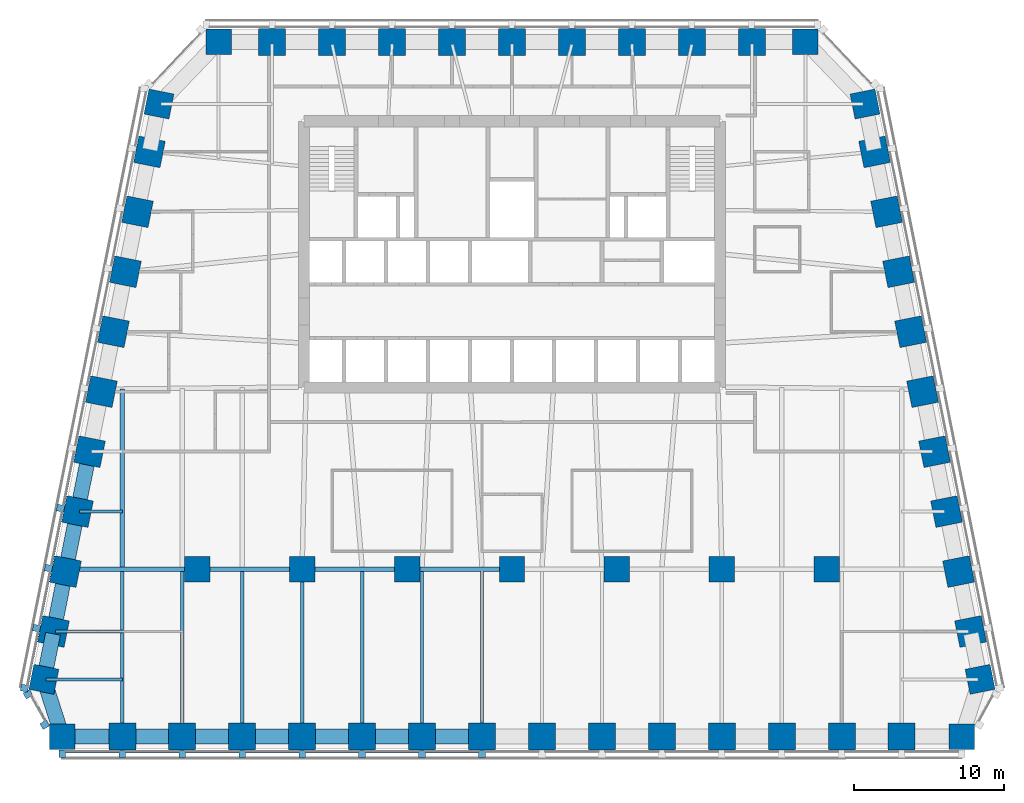
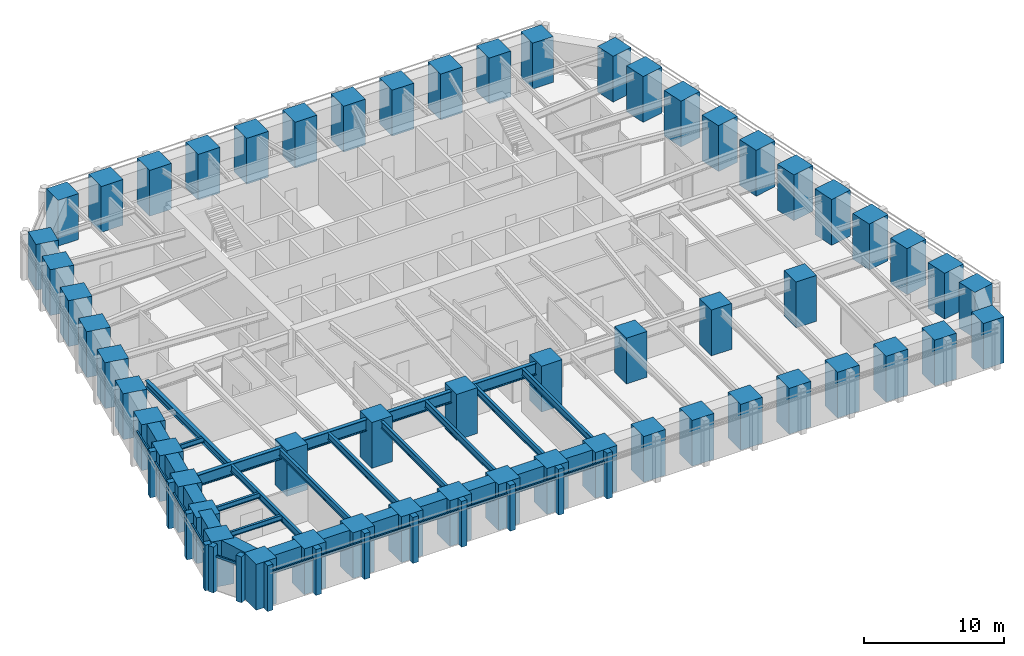
# One storey, part 1 of 10: 56 columns, 27 beams, 26 members, 3 elements without a shape of their own.
"""IFC4 building model written with IfcOpenShell, lengths in metres."""

from ifc_helpers import new_model, si_unit, direction, frame, origin, origin_2d, place, context, subcontext, project, spatial, rectangle, i_section, extrude, material, material_profile, profile_set, type_object, element, aggregate, save


model = new_model("IFC4")

# Units and contexts
model_context = context("Model", 3, precision=1e-05, world=origin(), true_north=direction((0.0, 1.0)))
body_context = subcontext(model_context, "Body", "Model", "MODEL_VIEW")
ifc_project = project(units=[si_unit("LENGTHUNIT", "METRE"), si_unit("AREAUNIT", "SQUARE_METRE"), si_unit("VOLUMEUNIT", "CUBIC_METRE"), si_unit("PLANEANGLEUNIT", "RADIAN"), si_unit("MASSUNIT", "GRAM", prefix="KILO")], contexts=[model_context])

# Site, building, storey
site_placement = place(None, origin())
site = spatial("IfcSite", under=ifc_project, at=site_placement, CompositionType="ELEMENT")
building_placement = place(site_placement, origin())
building = spatial("IfcBuilding", under=site, at=building_placement, Name="Isbrekke Arena Tower", CompositionType="ELEMENT")
storey_placement = place(building_placement, frame((0.0, 0.0, 119.0)))
storey = spatial("IfcBuildingStorey", under=building, at=storey_placement, Name="L26", CompositionType="ELEMENT", Elevation=119.0)

# Columns
ifc_material_1 = material(Name="Concrete B80 (C80/95)", Category="concrete")
ifc_material_profile_1 = material_profile(ifc_material_1, rectangle(XDim=1.699951171875, YDim=1.699951171875, at=origin_2d()), Name="RC 1700x1700")
ifc_profile_set_1 = profile_set([ifc_material_profile_1], Name="Concrete B80 (C80/95)")
column_type_1 = type_object("IfcColumnType", Name="C12 RC 1700 x 1700", PredefinedType="COLUMN", material=ifc_profile_set_1)
for number, where, z_axis, x_axis, name in (
    (1, (-21.0, -6.0, 0.0), (0.0, 0.0, 1.0), (1.0, 0.0, 0.0), "C12 I01"),
    (2, (-14.0, -6.0, 0.0), (0.0, 0.0, 1.0), (1.0, 0.0, 0.0), "C12 I02"),
    (3, (-7.0, -6.0, 0.0), (0.0, 0.0, 1.0), (1.0, 0.0, 0.0), "C12 I03"),
    (4, (0.0, -6.0, 0.0), (0.0, 0.0, 1.0), (1.0, 0.0, 0.0), "C12 I04"),
    (5, (7.0, -6.0, 0.0), (0.0, 0.0, 1.0), (1.0, 0.0, 0.0), "C12 I05"),
    (6, (14.0, -6.0, 0.0), (0.0, 0.0, 1.0), (1.0, 0.0, 0.0), "C12 I06"),
    (7, (21.0, -6.0, 0.0), (0.0, 0.0, 1.0), (1.0, 0.0, 0.0), "C12 I07"),
):
    element("IfcColumn", number, at=place(storey_placement, frame(where, z_axis=z_axis, x_axis=x_axis)), inside=storey, type_object=column_type_1, Name=name, PredefinedType="COLUMN", context=body_context, shape_type="SweptSolid", body=[
        extrude(rectangle(XDim=1.699951171875, YDim=1.699951171875, at=origin_2d()), origin(), (0.0, 0.0, 1.0), 4.0),
    ])
ifc_material_2 = material(Name="Concrete B80 (C80/95)", Category="concrete")
ifc_material_profile_2 = material_profile(ifc_material_2, rectangle(XDim=1.800048828125, YDim=1.800048828125, at=origin_2d()), Name="RC 1800x1800")
ifc_profile_set_2 = profile_set([ifc_material_profile_2], Name="Concrete B80 (C80/95)")
column_type_2 = type_object("IfcColumnType", Name="C3 RC 1800 x 1800", PredefinedType="COLUMN", material=ifc_profile_set_2)
for number, where, z_axis, x_axis, name in (
    (8, (-26.0, -17.175048828125, 0.0), (0.0, 0.0, 1.0), (1.0, 0.0, 0.0), "C3 S02"),
    (9, (-22.0, -17.175048828125, 0.0), (0.0, 0.0, 1.0), (1.0, 0.0, 0.0), "C3 S03"),
    (10, (-18.0, -17.175048828125, 0.0), (0.0, 0.0, 1.0), (1.0, 0.0, 0.0), "C3 S04"),
    (11, (-14.0, -17.175048828125, 0.0), (0.0, 0.0, 1.0), (1.0, 0.0, 0.0), "C3 S05"),
    (12, (-10.0, -17.175048828125, 0.0), (0.0, 0.0, 1.0), (1.0, 0.0, 0.0), "C3 S06"),
    (13, (-6.0, -17.175048828125, 0.0), (0.0, 0.0, 1.0), (1.0, 0.0, 0.0), "C3 S07"),
    (14, (-2.0, -17.175048828125, 0.0), (0.0, 0.0, 1.0), (1.0, 0.0, 0.0), "C3 S08"),
    (15, (2.0, -17.175048828125, 0.0), (0.0, 0.0, 1.0), (1.0, 0.0, 0.0), "C3 S09"),
    (16, (6.0, -17.175048828125, 0.0), (0.0, 0.0, 1.0), (1.0, 0.0, 0.0), "C3 S10"),
    (17, (10.0, -17.175048828125, 0.0), (0.0, 0.0, 1.0), (1.0, 0.0, 0.0), "C3 S11"),
    (18, (14.0, -17.175048828125, 0.0), (0.0, 0.0, 1.0), (1.0, 0.0, 0.0), "C3 S12"),
    (19, (18.0, -17.175048828125, 0.0), (0.0, 0.0, 1.0), (1.0, 0.0, 0.0), "C3 S13"),
    (20, (22.0, -17.175048828125, 0.0), (0.0, 0.0, 1.0), (1.0, 0.0, 0.0), "C3 S14"),
    (21, (26.0, -17.175048828125, 0.0), (0.0, 0.0, 1.0), (1.0, 0.0, 0.0), "C3 S15"),
    (22, (30.591064453125, -10.161865234375, 0.0), (0.0, 0.0, 1.0), (-0.196116135138, 0.980580675691, 0.0), "C3 E02"),
    (23, (29.791015625, -6.161865234375, 0.0), (0.0, 0.0, 1.0), (-0.196116135138, 0.980580675691, 0.0), "C3 E03"),
    (24, (28.990966796875, -2.161865234375, 0.0), (0.0, 0.0, 1.0), (-0.196116135138, 0.980580675691, 0.0), "C3 E04"),
    (25, (28.19091796875, 1.838134765625, 0.0), (0.0, 0.0, 1.0), (-0.196116135138, 0.980580675691, 0.0), "C3 E05"),
    (26, (27.39111328125, 5.838134765625, 0.0), (0.0, 0.0, 1.0), (-0.196116135138, 0.980580675691, 0.0), "C3 E06"),
    (27, (26.591064453125, 9.838134765625, 0.0), (0.0, 0.0, 1.0), (-0.196116135138, 0.980580675691, 0.0), "C3 E07"),
    (28, (25.791015625, 13.838134765625, 0.0), (0.0, 0.0, 1.0), (-0.196116135138, 0.980580675691, 0.0), "C3 E08"),
    (29, (24.990966796875, 17.838134765625, 0.0), (0.0, 0.0, 1.0), (-0.196116135138, 0.980580675691, 0.0), "C3 E09"),
    (30, (24.19091796875, 21.838134765625, 0.0), (0.0, 0.0, 1.0), (-0.196116135138, 0.980580675691, 0.0), "C3 E10"),
    (31, (16.0, 29.175048828125, 0.0), (0.0, 0.0, 1.0), (-1.0, 0.0, 0.0), "C3 N02"),
    (32, (12.0, 29.175048828125, 0.0), (0.0, 0.0, 1.0), (-1.0, 0.0, 0.0), "C3 N03"),
    (33, (8.0, 29.175048828125, 0.0), (0.0, 0.0, 1.0), (-1.0, 0.0, 0.0), "C3 N04"),
    (34, (4.0, 29.175048828125, 0.0), (0.0, 0.0, 1.0), (-1.0, 0.0, 0.0), "C3 N05"),
    (35, (0.0, 29.175048828125, 0.0), (0.0, 0.0, 1.0), (-1.0, 0.0, 0.0), "C3 N06"),
    (36, (-4.0, 29.175048828125, 0.0), (0.0, 0.0, 1.0), (-1.0, 0.0, 0.0), "C3 N07"),
    (37, (-8.0, 29.175048828125, 0.0), (0.0, 0.0, 1.0), (-1.0, 0.0, 0.0), "C3 N08"),
    (38, (-12.0, 29.175048828125, 0.0), (0.0, 0.0, 1.0), (-1.0, 0.0, 0.0), "C3 N09"),
    (39, (-16.0, 29.175048828125, 0.0), (0.0, 0.0, 1.0), (-1.0, 0.0, 0.0), "C3 N10"),
    (40, (-24.19091796875, 21.838134765625, 0.0), (0.0, 0.0, 1.0), (-0.196116135138, -0.980580675691, 0.0), "C3 W02"),
    (41, (-24.990966796875, 17.838134765625, 0.0), (0.0, 0.0, 1.0), (-0.196116135138, -0.980580675691, 0.0), "C3 W03"),
    (42, (-25.791015625, 13.838134765625, 0.0), (0.0, 0.0, 1.0), (-0.196116135138, -0.980580675691, 0.0), "C3 W04"),
    (43, (-26.591064453125, 9.838134765625, 0.0), (0.0, 0.0, 1.0), (-0.196116135138, -0.980580675691, 0.0), "C3 W05"),
    (44, (-27.39111328125, 5.838134765625, 0.0), (0.0, 0.0, 1.0), (-0.196116135138, -0.980580675691, 0.0), "C3 W06"),
    (45, (-28.19091796875, 1.838134765625, 0.0), (0.0, 0.0, 1.0), (-0.196116135138, -0.980580675691, 0.0), "C3 W07"),
    (46, (-28.990966796875, -2.161865234375, 0.0), (0.0, 0.0, 1.0), (-0.196116135138, -0.980580675691, 0.0), "C3 W08"),
    (47, (-29.791015625, -6.161865234375, 0.0), (0.0, 0.0, 1.0), (-0.196116135138, -0.980580675691, 0.0), "C3 W09"),
    (48, (-30.591064453125, -10.161865234375, 0.0), (0.0, 0.0, 1.0), (-0.196116135138, -0.980580675691, 0.0), "C3 W10"),
):
    element("IfcColumn", number, at=place(storey_placement, frame(where, z_axis=z_axis, x_axis=x_axis)), inside=storey, type_object=column_type_2, Name=name, PredefinedType="COLUMN", context=body_context, shape_type="SweptSolid", body=[
        extrude(rectangle(XDim=1.800048828125, YDim=1.800048828125, at=origin_2d()), origin(), (0.0, 0.0, 1.0), 4.0),
    ])
ifc_material_3 = material(Name="Concrete B80 (C80/95)", Category="concrete")
ifc_material_profile_3 = material_profile(ifc_material_3, rectangle(XDim=1.699951171875, YDim=1.699951171875, at=origin_2d()), Name="RC 1700x1700")
ifc_profile_set_3 = profile_set([ifc_material_profile_3], Name="Concrete B80 (C80/95)")
column_type_3 = type_object("IfcColumnType", Name="C7 RC 1700 x 1700", PredefinedType="COLUMN", material=ifc_profile_set_3)
for number, where, z_axis, x_axis, name in (
    (49, (-30.0, -17.175048828125, 0.0), (0.0, 0.0, 1.0), (1.0, 0.0, 0.0), "C7 S01"),
    (50, (30.0, -17.175048828125, 0.0), (0.0, 0.0, 1.0), (1.0, 0.0, 0.0), "C7 S16"),
    (51, (31.229248046875, -13.352783203125, 0.0), (0.0, 0.0, 1.0), (-0.196116135138, 0.980580675691, 0.0), "C7 E01"),
    (52, (23.552734375, 25.029296875, 0.0), (0.0, 0.0, 1.0), (-0.196116135138, 0.980580675691, 0.0), "C7 E11"),
    (53, (19.574951171875, 29.175048828125, 0.0), (0.0, 0.0, 1.0), (-1.0, 0.0, 0.0), "C7 N01"),
    (54, (-19.574951171875, 29.175048828125, 0.0), (0.0, 0.0, 1.0), (-1.0, 0.0, 0.0), "C7 N11"),
    (55, (-23.552734375, 25.029296875, 0.0), (0.0, 0.0, 1.0), (-0.196116135138, -0.980580675691, 0.0), "C7 W01"),
    (56, (-31.229248046875, -13.352783203125, 0.0), (0.0, 0.0, 1.0), (-0.196116135138, -0.980580675691, 0.0), "C7 W11"),
):
    element("IfcColumn", number, at=place(storey_placement, frame(where, z_axis=z_axis, x_axis=x_axis)), inside=storey, type_object=column_type_3, Name=name, PredefinedType="COLUMN", context=body_context, shape_type="SweptSolid", body=[
        extrude(rectangle(XDim=1.699951171875, YDim=1.699951171875, at=origin_2d()), origin(), (0.0, 0.0, 1.0), 4.0),
    ])

# Beams
ifc_material_4 = material(Name="Steel S355", Category="steel")
ifc_material_profile_4 = material_profile(ifc_material_4, i_section(OverallWidth=0.219970703125, OverallDepth=0.60009765625, WebThickness=0.011962890625, FlangeThickness=0.01904296875, FilletRadius=0.02392578125, at=origin_2d()), Name="IPE 600")
ifc_profile_set_4 = profile_set([ifc_material_profile_4], Name="Steel S355")
beam_type_1 = type_object("IfcBeamType", Name="B1 IPE 600", PredefinedType="BEAM", material=ifc_profile_set_4)
for number, where, z_axis, x_axis, name in (
    (57, (-26.0, -17.02490234375, 3.550048828125), (0.0, 1.0, 0.0), (-1.0, 0.0, 0.0), "B1 beam S-S02 L26"),
    (58, (-22.0, -17.02490234375, 3.550048828125), (0.0, 1.0, 0.0), (-1.0, 0.0, 0.0), "B1 beam S-S03 L26"),
    (59, (-18.0, -17.02490234375, 3.550048828125), (0.0, 1.0, 0.0), (-1.0, 0.0, 0.0), "B1 beam S-S04 L26"),
):
    element("IfcBeam", number, at=place(storey_placement, frame(where, z_axis=z_axis, x_axis=x_axis)), inside=storey, type_object=beam_type_1, Name=name, PredefinedType="BEAM", context=body_context, shape_type="SweptSolid", body=[
        extrude(i_section(OverallWidth=0.219970703125, OverallDepth=0.60009765625, WebThickness=0.011962890625, FlangeThickness=0.01904296875, FilletRadius=0.02392578125, at=origin_2d()), origin(), (0.0, 0.0, 1.0), 10.8740234375),
    ])
beam_1_placement = place(storey_placement, frame((-14.0, -17.02490234375, 3.550048828125), z_axis=(0.0, 1.0, 0.0), x_axis=(-1.0, 0.0, 0.0)))
element("IfcBeam", 60, at=beam_1_placement, inside=storey, type_object=beam_type_1, Name="B1 beam S-S05 L26", PredefinedType="BEAM", context=body_context, shape_type="SweptSolid", body=[
    extrude(i_section(OverallWidth=0.219970703125, OverallDepth=0.60009765625, WebThickness=0.011962890625, FlangeThickness=0.01904296875, FilletRadius=0.02392578125, at=origin_2d()), origin(), (0.0, 0.0, 1.0), 10.875),
])
for number, where, z_axis, x_axis, name in (
    (61, (-10.0, -17.02490234375, 3.550048828125), (0.0, 1.0, 0.0), (-1.0, 0.0, 0.0), "B1 beam S-S06 L26"),
    (62, (-6.0, -17.02490234375, 3.550048828125), (0.0, 1.0, 0.0), (-1.0, 0.0, 0.0), "B1 beam S-S07 L26"),
    (63, (-2.0, -17.02490234375, 3.550048828125), (0.0, 1.0, 0.0), (-1.0, 0.0, 0.0), "B1 beam S-S08 L26"),
):
    element("IfcBeam", number, at=place(storey_placement, frame(where, z_axis=z_axis, x_axis=x_axis)), inside=storey, type_object=beam_type_1, Name=name, PredefinedType="BEAM", context=body_context, shape_type="SweptSolid", body=[
        extrude(i_section(OverallWidth=0.219970703125, OverallDepth=0.60009765625, WebThickness=0.011962890625, FlangeThickness=0.01904296875, FilletRadius=0.02392578125, at=origin_2d()), origin(), (0.0, 0.0, 1.0), 10.8740234375),
    ])
ifc_material_5 = material(Name="Steel S355", Category="steel")
ifc_material_profile_5 = material_profile(ifc_material_5, i_section(OverallWidth=0.18994140625, OverallDepth=0.449951171875, WebThickness=0.009521484375, FlangeThickness=0.0146484375, FilletRadius=0.02099609375, at=origin_2d()), Name="IPE 450")
ifc_profile_set_5 = profile_set([ifc_material_profile_5], Name="Steel S355")
beam_type_2 = type_object("IfcBeamType", Name="B2 IPE 450", PredefinedType="BEAM", material=ifc_profile_set_5)
beam_2_placement = place(storey_placement, frame((-28.841064453125, -2.161865234375, 3.625), z_axis=(1.0, 0.0, 0.0), x_axis=(0.0, 1.0, 0.0)))
element("IfcBeam", 64, at=beam_2_placement, inside=storey, type_object=beam_type_2, Name="B2 beam E-W08 L26", PredefinedType="BEAM", context=body_context, shape_type="SweptSolid", body=[
    extrude(i_section(OverallWidth=0.18994140625, OverallDepth=0.449951171875, WebThickness=0.009521484375, FlangeThickness=0.0146484375, FilletRadius=0.02099609375, at=origin_2d()), origin(), (0.0, 0.0, 1.0), 2.841064453125),
])
beam_3_placement = place(storey_placement, frame((-30.44091796875, -10.161865234375, 3.625), z_axis=(1.0, 0.0, 0.0), x_axis=(0.0, 1.0, 0.0)))
element("IfcBeam", 65, at=beam_3_placement, inside=storey, type_object=beam_type_2, Name="B2 beam E-W10 L26", PredefinedType="BEAM", context=body_context, shape_type="SweptSolid", body=[
    extrude(i_section(OverallWidth=0.18994140625, OverallDepth=0.449951171875, WebThickness=0.009521484375, FlangeThickness=0.0146484375, FilletRadius=0.02099609375, at=origin_2d()), origin(), (0.0, 0.0, 1.0), 4.44091796875),
])
beam_4_placement = place(storey_placement, frame((-31.079345703125, -13.352783203125, 3.625), z_axis=(1.0, 0.0, 0.0), x_axis=(0.0, 1.0, 0.0)))
element("IfcBeam", 66, at=beam_4_placement, inside=storey, type_object=beam_type_2, Name="B2 beam E-W11 L26", PredefinedType="BEAM", context=body_context, shape_type="SweptSolid", body=[
    extrude(i_section(OverallWidth=0.18994140625, OverallDepth=0.449951171875, WebThickness=0.009521484375, FlangeThickness=0.0146484375, FilletRadius=0.02099609375, at=origin_2d()), origin(), (0.0, 0.0, 1.0), 5.079345703125),
])
ifc_material_6 = material(Name="Steel S355", Category="steel")
ifc_material_profile_6 = material_profile(ifc_material_6, i_section(OverallWidth=0.300048828125, OverallDepth=0.60009765625, WebThickness=0.015380859375, FlangeThickness=0.030029296875, FilletRadius=0.027099609375, at=origin_2d()), Name="HEB 600")
ifc_profile_set_6 = profile_set([ifc_material_profile_6], Name="Steel S355")
beam_type_3 = type_object("IfcBeamType", Name="B7 HEB 600", PredefinedType="BEAM", material=ifc_profile_set_6)
beam_5_placement = place(storey_placement, frame((-26.0, -5.84912109375, 3.550048828125), z_axis=(0.0, 1.0, 0.0), x_axis=(-1.0, 0.0, 0.0)))
element("IfcBeam", 67, at=beam_5_placement, inside=storey, type_object=beam_type_3, Name="B7 beam C-M01 L26", PredefinedType="BEAM", context=body_context, shape_type="SweptSolid", body=[
    extrude(i_section(OverallWidth=0.300048828125, OverallDepth=0.60009765625, WebThickness=0.015380859375, FlangeThickness=0.030029296875, FilletRadius=0.027099609375, at=origin_2d()), origin(), (0.0, 0.0, 1.0), 11.864990234375),
])

# Curtain wall, members
ifc_material_7 = material(Name="Glazed aluminium curtain wall", Category="aluminium")
curtain_wall_type = type_object("IfcCurtainWallType", Name="CWM TOWER CURTAIN WALL MID ZONE", PredefinedType="USERDEFINED", material=ifc_material_7)
curtain_wall_1_placement = place(storey_placement, origin())
curtain_wall_1 = element("IfcCurtainWall", 68, at=curtain_wall_1_placement, inside=storey, type_object=curtain_wall_type, Name="CWM curtain wall L26-S", ObjectType="TOWER CURTAIN WALL MID ZONE", PredefinedType="USERDEFINED")
ifc_material_8 = material(Name="Aluminium mullion, pale brick slip cladding", Category="masonry")
ifc_material_profile_7 = material_profile(ifc_material_8, rectangle(XDim=0.449951171875, YDim=0.5, at=origin_2d()), Name="PIER 450X500")
ifc_profile_set_7 = profile_set([ifc_material_profile_7], Name="Aluminium mullion, pale brick slip cladding")
member_type_1 = type_object("IfcMemberType", Name="CWM-M PIER MULLION 450 x 500", PredefinedType="MULLION", material=ifc_profile_set_7)
member_1_placement = place(storey_placement, frame((-30.0, -18.324951171875, 0.0), z_axis=(0.0, 0.0, 1.0), x_axis=(1.0, 0.0, 0.0)))
member_1 = element("IfcMember", 69, at=member_1_placement, type_object=member_type_1, Name="CWM-M mullion 1", PredefinedType="MULLION", context=body_context, shape_type="SweptSolid", body=[
    extrude(rectangle(XDim=0.449951171875, YDim=0.5, at=origin_2d()), origin(), (0.0, 0.0, 1.0), 4.0),
])
member_2_placement = place(storey_placement, frame((-26.0, -18.324951171875, 0.0), z_axis=(0.0, 0.0, 1.0), x_axis=(1.0, 0.0, 0.0)))
member_2 = element("IfcMember", 70, at=member_2_placement, type_object=member_type_1, Name="CWM-M mullion 2", PredefinedType="MULLION", context=body_context, shape_type="SweptSolid", body=[
    extrude(rectangle(XDim=0.449951171875, YDim=0.5, at=origin_2d()), origin(), (0.0, 0.0, 1.0), 4.0),
])
member_3_placement = place(storey_placement, frame((-22.0, -18.324951171875, 0.0), z_axis=(0.0, 0.0, 1.0), x_axis=(1.0, 0.0, 0.0)))
member_3 = element("IfcMember", 71, at=member_3_placement, type_object=member_type_1, Name="CWM-M mullion 3", PredefinedType="MULLION", context=body_context, shape_type="SweptSolid", body=[
    extrude(rectangle(XDim=0.449951171875, YDim=0.5, at=origin_2d()), origin(), (0.0, 0.0, 1.0), 4.0),
])
member_4_placement = place(storey_placement, frame((-18.0, -18.324951171875, 0.0), z_axis=(0.0, 0.0, 1.0), x_axis=(1.0, 0.0, 0.0)))
member_4 = element("IfcMember", 72, at=member_4_placement, type_object=member_type_1, Name="CWM-M mullion 4", PredefinedType="MULLION", context=body_context, shape_type="SweptSolid", body=[
    extrude(rectangle(XDim=0.449951171875, YDim=0.5, at=origin_2d()), origin(), (0.0, 0.0, 1.0), 4.0),
])
member_5_placement = place(storey_placement, frame((-14.0, -18.324951171875, 0.0), z_axis=(0.0, 0.0, 1.0), x_axis=(1.0, 0.0, 0.0)))
member_5 = element("IfcMember", 73, at=member_5_placement, type_object=member_type_1, Name="CWM-M mullion 5", PredefinedType="MULLION", context=body_context, shape_type="SweptSolid", body=[
    extrude(rectangle(XDim=0.449951171875, YDim=0.5, at=origin_2d()), origin(), (0.0, 0.0, 1.0), 4.0),
])
member_6_placement = place(storey_placement, frame((-10.0, -18.324951171875, 0.0), z_axis=(0.0, 0.0, 1.0), x_axis=(1.0, 0.0, 0.0)))
member_6 = element("IfcMember", 74, at=member_6_placement, type_object=member_type_1, Name="CWM-M mullion 6", PredefinedType="MULLION", context=body_context, shape_type="SweptSolid", body=[
    extrude(rectangle(XDim=0.449951171875, YDim=0.5, at=origin_2d()), origin(), (0.0, 0.0, 1.0), 4.0),
])
member_7_placement = place(storey_placement, frame((-6.0, -18.324951171875, 0.0), z_axis=(0.0, 0.0, 1.0), x_axis=(1.0, 0.0, 0.0)))
member_7 = element("IfcMember", 75, at=member_7_placement, type_object=member_type_1, Name="CWM-M mullion 7", PredefinedType="MULLION", context=body_context, shape_type="SweptSolid", body=[
    extrude(rectangle(XDim=0.449951171875, YDim=0.5, at=origin_2d()), origin(), (0.0, 0.0, 1.0), 4.0),
])
member_8_placement = place(storey_placement, frame((-2.0, -18.324951171875, 0.0), z_axis=(0.0, 0.0, 1.0), x_axis=(1.0, 0.0, 0.0)))
member_8 = element("IfcMember", 76, at=member_8_placement, type_object=member_type_1, Name="CWM-M mullion 8", PredefinedType="MULLION", context=body_context, shape_type="SweptSolid", body=[
    extrude(rectangle(XDim=0.449951171875, YDim=0.5, at=origin_2d()), origin(), (0.0, 0.0, 1.0), 4.0),
])

curtain_wall_2_placement = place(storey_placement, origin())
curtain_wall_2 = element("IfcCurtainWall", 77, at=curtain_wall_2_placement, inside=storey, type_object=curtain_wall_type, Name="CWM curtain wall L26-W", ObjectType="TOWER CURTAIN WALL MID ZONE", PredefinedType="USERDEFINED")
member_9_placement = place(storey_placement, frame((-30.11865234375, -1.936279296875, 0.0), z_axis=(0.0, 0.0, 1.0), x_axis=(-0.196116135138, -0.980580675691, 0.0)))
member_9 = element("IfcMember", 78, at=member_9_placement, type_object=member_type_1, Name="CWM-M mullion 8", PredefinedType="MULLION", context=body_context, shape_type="SweptSolid", body=[
    extrude(rectangle(XDim=0.449951171875, YDim=0.5, at=origin_2d()), origin(), (0.0, 0.0, 1.0), 4.0),
])
member_10_placement = place(storey_placement, frame((-30.918701171875, -5.936279296875, 0.0), z_axis=(0.0, 0.0, 1.0), x_axis=(-0.196116135138, -0.980580675691, 0.0)))
member_10 = element("IfcMember", 79, at=member_10_placement, type_object=member_type_1, Name="CWM-M mullion 9", PredefinedType="MULLION", context=body_context, shape_type="SweptSolid", body=[
    extrude(rectangle(XDim=0.449951171875, YDim=0.5, at=origin_2d()), origin(), (0.0, 0.0, 1.0), 4.0),
])
member_11_placement = place(storey_placement, frame((-31.71875, -9.936279296875, 0.0), z_axis=(0.0, 0.0, 1.0), x_axis=(-0.196116135138, -0.980580675691, 0.0)))
member_11 = element("IfcMember", 80, at=member_11_placement, type_object=member_type_1, Name="CWM-M mullion 10", PredefinedType="MULLION", context=body_context, shape_type="SweptSolid", body=[
    extrude(rectangle(XDim=0.449951171875, YDim=0.5, at=origin_2d()), origin(), (0.0, 0.0, 1.0), 4.0),
])
member_12_placement = place(storey_placement, frame((-32.518798828125, -13.936279296875, 0.0), z_axis=(0.0, 0.0, 1.0), x_axis=(-0.196116135138, -0.980580675691, 0.0)))
member_12 = element("IfcMember", 81, at=member_12_placement, type_object=member_type_1, Name="CWM-M mullion 11", PredefinedType="MULLION", context=body_context, shape_type="SweptSolid", body=[
    extrude(rectangle(XDim=0.449951171875, YDim=0.5, at=origin_2d()), origin(), (0.0, 0.0, 1.0), 4.0),
])

curtain_wall_3_placement = place(storey_placement, origin())
curtain_wall_3 = element("IfcCurtainWall", 82, at=curtain_wall_3_placement, inside=storey, type_object=curtain_wall_type, Name="CWM curtain wall L26-WS", ObjectType="TOWER CURTAIN WALL MID ZONE", PredefinedType="USERDEFINED")
member_13_placement = place(storey_placement, frame((-32.29638671875, -14.34326171875, 0.0), z_axis=(0.0, 0.0, 1.0), x_axis=(0.481918749773, -0.876215908676, 0.0)))
member_13 = element("IfcMember", 83, at=member_13_placement, type_object=member_type_1, Name="CWM-M mullion 1", PredefinedType="MULLION", context=body_context, shape_type="SweptSolid", body=[
    extrude(rectangle(XDim=0.449951171875, YDim=0.5, at=origin_2d()), origin(), (0.0, 0.0, 1.0), 4.0),
])
member_14_placement = place(storey_placement, frame((-31.174560546875, -16.38330078125, 0.0), z_axis=(0.0, 0.0, 1.0), x_axis=(0.481918749773, -0.876215908676, 0.0)))
member_14 = element("IfcMember", 84, at=member_14_placement, type_object=member_type_1, Name="CWM-M mullion 2", PredefinedType="MULLION", context=body_context, shape_type="SweptSolid", body=[
    extrude(rectangle(XDim=0.449951171875, YDim=0.5, at=origin_2d()), origin(), (0.0, 0.0, 1.0), 4.0),
])

# Member
ifc_material_9 = material(Name="Aluminium transom", Category="aluminium")
ifc_material_profile_8 = material_profile(ifc_material_9, rectangle(XDim=0.1201171875, YDim=0.199951171875, at=origin_2d()), Name="TRANSOM 120X200")
ifc_profile_set_8 = profile_set([ifc_material_profile_8], Name="Aluminium transom")
member_type_2 = type_object("IfcMemberType", Name="CWM-T TRANSOM 120 x 200", PredefinedType="USERDEFINED", material=ifc_profile_set_8)
member_15_placement = place(storey_placement, frame((-29.77490234375, -18.175048828125, 3.0), z_axis=(1.0, 0.0, 0.0), x_axis=(0.0, 1.0, 0.0)))
member_15 = element("IfcMember", 85, at=member_15_placement, type_object=member_type_2, Name="CWM-T transom 1", ObjectType="TRANSOM", PredefinedType="USERDEFINED", context=body_context, shape_type="SweptSolid", body=[
    extrude(rectangle(XDim=0.1201171875, YDim=0.199951171875, at=origin_2d()), origin(), (0.0, 0.0, 1.0), 3.5498046875),
])

member_16_placement = place(storey_placement, frame((-25.77490234375, -18.175048828125, 3.0), z_axis=(1.0, 0.0, 0.0), x_axis=(0.0, 1.0, 0.0)))
member_16 = element("IfcMember", 86, at=member_16_placement, type_object=member_type_2, Name="CWM-T transom 2", ObjectType="TRANSOM", PredefinedType="USERDEFINED", context=body_context, shape_type="SweptSolid", body=[
    extrude(rectangle(XDim=0.1201171875, YDim=0.199951171875, at=origin_2d()), origin(), (0.0, 0.0, 1.0), 3.5498046875),
])

member_17_placement = place(storey_placement, frame((-21.77490234375, -18.175048828125, 3.0), z_axis=(1.0, 0.0, 0.0), x_axis=(0.0, 1.0, 0.0)))
member_17 = element("IfcMember", 87, at=member_17_placement, type_object=member_type_2, Name="CWM-T transom 3", ObjectType="TRANSOM", PredefinedType="USERDEFINED", context=body_context, shape_type="SweptSolid", body=[
    extrude(rectangle(XDim=0.1201171875, YDim=0.199951171875, at=origin_2d()), origin(), (0.0, 0.0, 1.0), 3.5498046875),
])

member_18_placement = place(storey_placement, frame((-17.77490234375, -18.175048828125, 3.0), z_axis=(1.0, 0.0, 0.0), x_axis=(0.0, 1.0, 0.0)))
member_18 = element("IfcMember", 88, at=member_18_placement, type_object=member_type_2, Name="CWM-T transom 4", ObjectType="TRANSOM", PredefinedType="USERDEFINED", context=body_context, shape_type="SweptSolid", body=[
    extrude(rectangle(XDim=0.1201171875, YDim=0.199951171875, at=origin_2d()), origin(), (0.0, 0.0, 1.0), 3.5498046875),
])

member_19_placement = place(storey_placement, frame((-13.77490234375, -18.175048828125, 3.0), z_axis=(1.0, 0.0, 0.0), x_axis=(0.0, 1.0, 0.0)))
member_19 = element("IfcMember", 89, at=member_19_placement, type_object=member_type_2, Name="CWM-T transom 5", ObjectType="TRANSOM", PredefinedType="USERDEFINED", context=body_context, shape_type="SweptSolid", body=[
    extrude(rectangle(XDim=0.1201171875, YDim=0.199951171875, at=origin_2d()), origin(), (0.0, 0.0, 1.0), 3.5498046875),
])

member_20_placement = place(storey_placement, frame((-9.77490234375, -18.175048828125, 3.0), z_axis=(1.0, 0.0, 0.0), x_axis=(0.0, 1.0, 0.0)))
member_20 = element("IfcMember", 90, at=member_20_placement, type_object=member_type_2, Name="CWM-T transom 6", ObjectType="TRANSOM", PredefinedType="USERDEFINED", context=body_context, shape_type="SweptSolid", body=[
    extrude(rectangle(XDim=0.1201171875, YDim=0.199951171875, at=origin_2d()), origin(), (0.0, 0.0, 1.0), 3.5498046875),
])

member_21_placement = place(storey_placement, frame((-5.77490234375, -18.175048828125, 3.0), z_axis=(1.0, 0.0, 0.0), x_axis=(0.0, 1.0, 0.0)))
member_21 = element("IfcMember", 91, at=member_21_placement, type_object=member_type_2, Name="CWM-T transom 7", ObjectType="TRANSOM", PredefinedType="USERDEFINED", context=body_context, shape_type="SweptSolid", body=[
    extrude(rectangle(XDim=0.1201171875, YDim=0.199951171875, at=origin_2d()), origin(), (0.0, 0.0, 1.0), 3.5498046875),
])

aggregate(curtain_wall_1, [member_1, member_2, member_3, member_4, member_5, member_6, member_7, member_8, member_15, member_16, member_17, member_18, member_19, member_20, member_21])

member_22_placement = place(storey_placement, frame((-29.2158203125, 1.813720703125, 3.0), z_axis=(-0.196090262229, -0.980585849918, 0.0), x_axis=(0.980585849918, -0.196090262229, 0.0)))
member_22 = element("IfcMember", 92, at=member_22_placement, type_object=member_type_2, Name="CWM-T transom 7", ObjectType="TRANSOM", PredefinedType="USERDEFINED", context=body_context, shape_type="SweptSolid", body=[
    extrude(rectangle(XDim=0.1201171875, YDim=0.199951171875, at=origin_2d()), origin(), (0.0, 0.0, 1.0), 3.62939453125),
])

member_23_placement = place(storey_placement, frame((-30.015625, -2.186279296875, 3.0), z_axis=(-0.196154943734, -0.980572913173, 0.0), x_axis=(0.980572913173, -0.196154943734, 0.0)))
member_23 = element("IfcMember", 93, at=member_23_placement, type_object=member_type_2, Name="CWM-T transom 8", ObjectType="TRANSOM", PredefinedType="USERDEFINED", context=body_context, shape_type="SweptSolid", body=[
    extrude(rectangle(XDim=0.1201171875, YDim=0.199951171875, at=origin_2d()), origin(), (0.0, 0.0, 1.0), 3.62939453125),
])

member_24_placement = place(storey_placement, frame((-30.815673828125, -6.186279296875, 3.0), z_axis=(-0.196154943734, -0.980572913173, 0.0), x_axis=(0.980572913173, -0.196154943734, 0.0)))
member_24 = element("IfcMember", 94, at=member_24_placement, type_object=member_type_2, Name="CWM-T transom 9", ObjectType="TRANSOM", PredefinedType="USERDEFINED", context=body_context, shape_type="SweptSolid", body=[
    extrude(rectangle(XDim=0.1201171875, YDim=0.199951171875, at=origin_2d()), origin(), (0.0, 0.0, 1.0), 3.62939453125),
])

member_25_placement = place(storey_placement, frame((-31.61572265625, -10.186279296875, 3.0), z_axis=(-0.196090262229, -0.980585849918, 0.0), x_axis=(0.980585849918, -0.196090262229, 0.0)))
member_25 = element("IfcMember", 95, at=member_25_placement, type_object=member_type_2, Name="CWM-T transom 10", ObjectType="TRANSOM", PredefinedType="USERDEFINED", context=body_context, shape_type="SweptSolid", body=[
    extrude(rectangle(XDim=0.1201171875, YDim=0.199951171875, at=origin_2d()), origin(), (0.0, 0.0, 1.0), 3.62939453125),
])

aggregate(curtain_wall_2, [member_9, member_10, member_11, member_12, member_22, member_23, member_24, member_25])

member_26_placement = place(storey_placement, frame((-32.056640625, -14.46826171875, 3.0), z_axis=(0.481918749772, -0.876215908677, 0.0), x_axis=(0.876215908677, 0.481918749772, 0.0)))
member_26 = element("IfcMember", 96, at=member_26_placement, type_object=member_type_2, Name="CWM-T transom 1", ObjectType="TRANSOM", PredefinedType="USERDEFINED", context=body_context, shape_type="SweptSolid", body=[
    extrude(rectangle(XDim=0.1201171875, YDim=0.199951171875, at=origin_2d()), origin(), (0.0, 0.0, 1.0), 1.8779296875),
])

aggregate(curtain_wall_3, [member_13, member_14, member_26])

# Beams
ifc_material_10 = material(Name="Steel S355", Category="steel")
ifc_material_profile_9 = material_profile(ifc_material_10, i_section(OverallWidth=0.302001953125, OverallDepth=1.008056640625, WebThickness=0.02099609375, FlangeThickness=0.0400390625, FilletRadius=0.030029296875, at=origin_2d()), Name="HEM 1000")
ifc_profile_set_9 = profile_set([ifc_material_profile_9], Name="Steel S355")
beam_type_4 = type_object("IfcBeamType", Name="G1 HEM 1000", PredefinedType="BEAM", material=ifc_profile_set_9)
beam_6_placement = place(storey_placement, frame((-29.791015625, -6.0, 3.345947265625), z_axis=(1.0, 0.0, 0.0), x_axis=(0.0, 1.0, 0.0)))
element("IfcBeam", 97, at=beam_6_placement, inside=storey, type_object=beam_type_4, Name="G1 beam G1-01 L26", PredefinedType="BEAM", context=body_context, shape_type="SweptSolid", body=[
    extrude(i_section(OverallWidth=0.302001953125, OverallDepth=1.008056640625, WebThickness=0.02099609375, FlangeThickness=0.0400390625, FilletRadius=0.030029296875, at=origin_2d()), origin(), (0.0, 0.0, 1.0), 8.64111328125),
])
for number, where, z_axis, x_axis, name in (
    (98, (-20.85009765625, -6.0, 3.345947265625), (1.0, 0.0, 0.0), (0.0, 1.0, 0.0), "G1 beam G1-02 L26"),
    (99, (-13.85009765625, -6.0, 3.345947265625), (1.0, 0.0, 0.0), (0.0, 1.0, 0.0), "G1 beam G1-03 L26"),
    (100, (-6.85009765625, -6.0, 3.345947265625), (1.0, 0.0, 0.0), (0.0, 1.0, 0.0), "G1 beam G1-04 L26"),
):
    element("IfcBeam", number, at=place(storey_placement, frame(where, z_axis=z_axis, x_axis=x_axis)), inside=storey, type_object=beam_type_4, Name=name, PredefinedType="BEAM", context=body_context, shape_type="SweptSolid", body=[
        extrude(i_section(OverallWidth=0.302001953125, OverallDepth=1.008056640625, WebThickness=0.02099609375, FlangeThickness=0.0400390625, FilletRadius=0.030029296875, at=origin_2d()), origin(), (0.0, 0.0, 1.0), 6.7001953125),
    ])
ifc_material_11 = material(Name="Concrete B80 (C80/95)", Category="concrete")
ifc_material_profile_10 = material_profile(ifc_material_11, rectangle(XDim=1.0, YDim=1.60009765625, at=origin_2d()), Name="RC 1000x1600")
ifc_profile_set_10 = profile_set([ifc_material_profile_10], Name="Concrete B80 (C80/95)")
beam_type_5 = type_object("IfcBeamType", Name="SB2 RC 1000 x 1600", PredefinedType="SPANDREL", material=ifc_profile_set_10)
for number, where, z_axis, x_axis, name in (
    (101, (-29.85009765625, -17.175048828125, 3.199951171875), (1.0, 0.0, 0.0), (0.0, 1.0, 0.0), "SB2 spandrel S01-S02 L26"),
    (102, (-25.85009765625, -17.175048828125, 3.199951171875), (1.0, 0.0, 0.0), (0.0, 1.0, 0.0), "SB2 spandrel S02-S03 L26"),
    (103, (-21.85009765625, -17.175048828125, 3.199951171875), (1.0, 0.0, 0.0), (0.0, 1.0, 0.0), "SB2 spandrel S03-S04 L26"),
    (104, (-17.85009765625, -17.175048828125, 3.199951171875), (1.0, 0.0, 0.0), (0.0, 1.0, 0.0), "SB2 spandrel S04-S05 L26"),
    (105, (-13.85009765625, -17.175048828125, 3.199951171875), (1.0, 0.0, 0.0), (0.0, 1.0, 0.0), "SB2 spandrel S05-S06 L26"),
    (106, (-9.85009765625, -17.175048828125, 3.199951171875), (1.0, 0.0, 0.0), (0.0, 1.0, 0.0), "SB2 spandrel S06-S07 L26"),
    (107, (-5.85009765625, -17.175048828125, 3.199951171875), (1.0, 0.0, 0.0), (0.0, 1.0, 0.0), "SB2 spandrel S07-S08 L26"),
):
    element("IfcBeam", number, at=place(storey_placement, frame(where, z_axis=z_axis, x_axis=x_axis)), inside=storey, type_object=beam_type_5, Name=name, PredefinedType="SPANDREL", context=body_context, shape_type="SweptSolid", body=[
        extrude(rectangle(XDim=1.0, YDim=1.60009765625, at=origin_2d()), origin(), (0.0, 0.0, 1.0), 3.7001953125),
    ])
for number, where, z_axis, x_axis, name in (
    (108, (-28.220458984375, 1.691162109375, 3.199951171875), (-0.196128558387, -0.980578190959, 0.0), (0.980578190959, -0.196128558387, 0.0), "SB2 spandrel W07-W08 L26"),
    (109, (-29.0205078125, -2.308837890625, 3.199951171875), (-0.196128558387, -0.980578190959, 0.0), (0.980578190959, -0.196128558387, 0.0), "SB2 spandrel W08-W09 L26"),
):
    element("IfcBeam", number, at=place(storey_placement, frame(where, z_axis=z_axis, x_axis=x_axis)), inside=storey, type_object=beam_type_5, Name=name, PredefinedType="SPANDREL", context=body_context, shape_type="SweptSolid", body=[
        extrude(rectangle(XDim=1.0, YDim=1.60009765625, at=origin_2d()), origin(), (0.0, 0.0, 1.0), 3.779296875),
    ])
beam_7_placement = place(storey_placement, frame((-29.820556640625, -6.308837890625, 3.199951171875), z_axis=(-0.1960664412, -0.980590613169, 0.0), x_axis=(0.980590613169, -0.1960664412, 0.0)))
element("IfcBeam", 110, at=beam_7_placement, inside=storey, type_object=beam_type_5, Name="SB2 spandrel W09-W10 L26", PredefinedType="SPANDREL", context=body_context, shape_type="SweptSolid", body=[
    extrude(rectangle(XDim=1.0, YDim=1.60009765625, at=origin_2d()), origin(), (0.0, 0.0, 1.0), 3.779052734375),
])
beam_8_placement = place(storey_placement, frame((-30.620361328125, -10.308837890625, 3.199951171875), z_axis=(-0.196100243168, -0.980583853951, 0.0), x_axis=(0.980583853951, -0.196100243168, 0.0)))
element("IfcBeam", 111, at=beam_8_placement, inside=storey, type_object=beam_type_5, Name="SB2 spandrel W10-W11 L26", PredefinedType="SPANDREL", context=body_context, shape_type="SweptSolid", body=[
    extrude(rectangle(XDim=1.0, YDim=1.60009765625, at=origin_2d()), origin(), (0.0, 0.0, 1.0), 2.954345703125),
])
beam_9_placement = place(storey_placement, frame((-31.183349609375, -13.49560546875, 3.199951171875), z_axis=(0.306175101476, -0.951975213562, 0.0), x_axis=(0.951975213562, 0.306175101476, 0.0)))
element("IfcBeam", 112, at=beam_9_placement, inside=storey, type_object=beam_type_5, Name="SB2 spandrel W11-S01 L26", PredefinedType="SPANDREL", context=body_context, shape_type="SweptSolid", body=[
    extrude(rectangle(XDim=1.0, YDim=1.60009765625, at=origin_2d()), origin(), (0.0, 0.0, 1.0), 3.715087890625),
])

save(model, "model.ifc")
